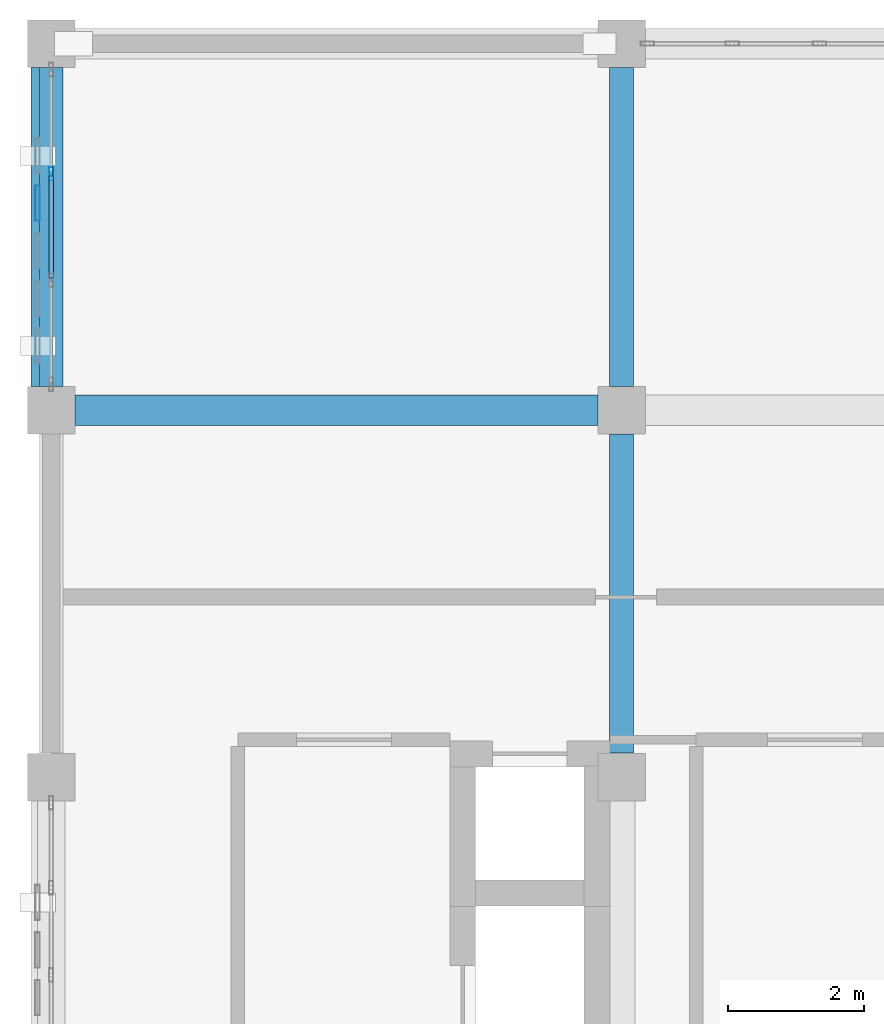
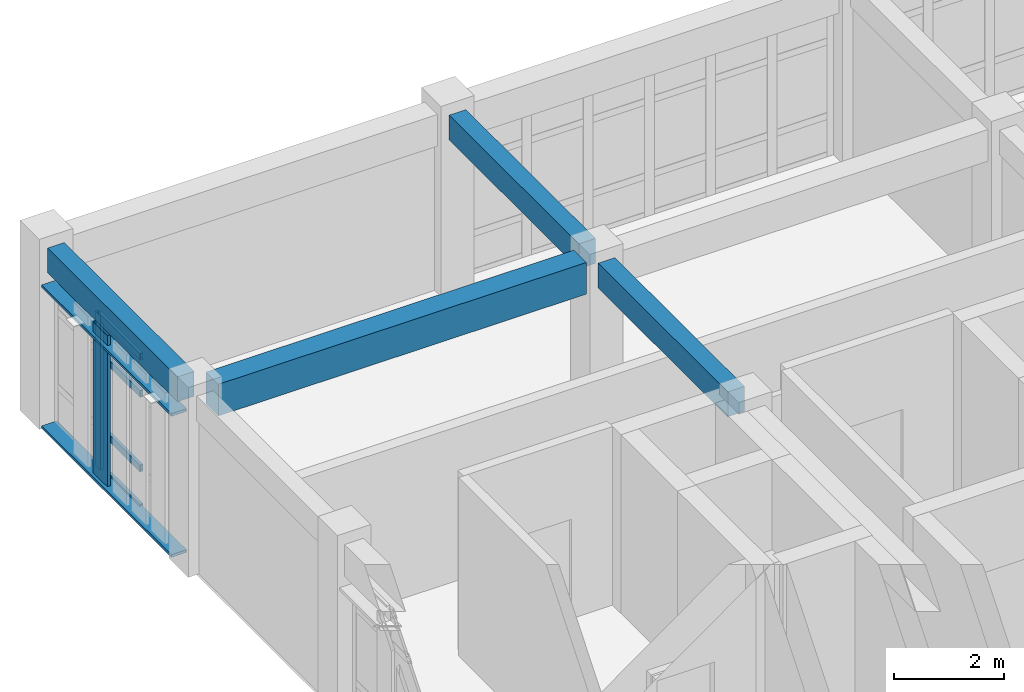
# One storey, part 10 of 22: 8 members, 4 beams, 1 element without a shape of its own.
"""IFC4 building model written with IfcOpenShell, lengths in metres."""

from ifc_helpers import new_model, si_unit, direction, frame, origin, origin_2d, place, context, subcontext, project, spatial, rectangle, hollow_rectangle, extrude, material, layer, layer_set, material_profile, profile_set, type_object, element, aggregate, save


model = new_model("IFC4")

# Units and contexts
model_context = context("Model", 3, precision=1e-05, world=origin(), true_north=direction((0.0, 1.0)))
body_context = subcontext(model_context, "Body", "Model", "MODEL_VIEW")
ifc_project = project(units=[si_unit("LENGTHUNIT", "METRE"), si_unit("AREAUNIT", "SQUARE_METRE"), si_unit("VOLUMEUNIT", "CUBIC_METRE"), si_unit("PLANEANGLEUNIT", "RADIAN"), si_unit("MASSUNIT", "GRAM", prefix="KILO")], contexts=[model_context])

# Site, building, storey
site_placement = place(None, origin())
site = spatial("IfcSite", under=ifc_project, at=site_placement, CompositionType="ELEMENT")
building_placement = place(site_placement, origin())
building = spatial("IfcBuilding", under=site, at=building_placement, Name="Krzemoval Escarpment Law Courts", CompositionType="ELEMENT")
storey_placement = place(building_placement, frame((0.0, 0.0, 29.39990234375)))
storey = spatial("IfcBuildingStorey", under=building, at=storey_placement, Name="L06", CompositionType="ELEMENT", Elevation=29.39990234375)

# Beams
ifc_material_1 = material(Name="Concrete C40/50", Category="concrete")
ifc_material_profile_1 = material_profile(ifc_material_1, rectangle(XDim=0.35009765625, YDim=0.550048828125, at=origin_2d()), Name="RCB 350x550")
ifc_profile_set_1 = profile_set([ifc_material_profile_1], Name="Concrete C40/50")
beam_type_1 = type_object("IfcBeamType", Name="BM-RC-350x550", PredefinedType="BEAM", material=ifc_profile_set_1)
for number, where, z_axis, x_axis, name in (
    (1, (126.0, 113.75, 3.675048828125), (0.0, 1.0, 0.0), (-1.0, 0.0, 0.0), "Beam FG-L06-2664"),
    (2, (134.39990234375, 108.35009765625, 3.675048828125), (0.0, 1.0, 0.0), (-1.0, 0.0, 0.0), "Beam FG-L06-2668"),
    (3, (134.39990234375, 113.75, 3.675048828125), (0.0, 1.0, 0.0), (-1.0, 0.0, 0.0), "Beam FG-L06-2669"),
):
    element("IfcBeam", number, at=place(storey_placement, frame(where, z_axis=z_axis, x_axis=x_axis)), inside=storey, type_object=beam_type_1, Name=name, PredefinedType="BEAM", context=body_context, shape_type="SweptSolid", body=[
        extrude(rectangle(XDim=0.35009765625, YDim=0.550048828125, at=origin_2d()), origin(), (0.0, 0.0, 1.0), 4.699951171875),
    ])
ifc_material_2 = material(Name="Concrete C40/50", Category="concrete")
ifc_material_profile_2 = material_profile(ifc_material_2, rectangle(XDim=0.449951171875, YDim=0.699951171875, at=origin_2d()), Name="RCB 450x700")
ifc_profile_set_2 = profile_set([ifc_material_profile_2], Name="Concrete C40/50")
beam_type_2 = type_object("IfcBeamType", Name="BM-RC-450x700", PredefinedType="BEAM", material=ifc_profile_set_2)
beam_placement = place(storey_placement, frame((126.35009765625, 113.39990234375, 3.60009765625), z_axis=(1.0, 0.0, 0.0), x_axis=(0.0, 1.0, 0.0)))
element("IfcBeam", 4, at=beam_placement, inside=storey, type_object=beam_type_2, Name="Beam FG-L06-2648", PredefinedType="BEAM", context=body_context, shape_type="SweptSolid", body=[
    extrude(rectangle(XDim=0.449951171875, YDim=0.699951171875, at=origin_2d()), origin(), (0.0, 0.0, 1.0), 7.699951171875),
])

# Curtain wall, members
ifc_material_3 = material(Name="Aluminium 6063-T6", Category="aluminium")
ifc_layer = layer(ifc_material_3, 0.219970703125)
ifc_layer_set = layer_set([ifc_layer], Name="Aluminium 6063-T6")
curtain_wall_type = type_object("IfcCurtainWallType", Name="CW-CHMB-4200", PredefinedType="USERDEFINED", material=ifc_layer_set)
curtain_wall_placement = place(storey_placement, origin())
curtain_wall = element("IfcCurtainWall", 5, at=curtain_wall_placement, inside=storey, type_object=curtain_wall_type, Name="Unitised Curtain Wall FCW-L06-148", ObjectType="UNITISED_CURTAIN_WALL", PredefinedType="USERDEFINED")
ifc_material_4 = material(Name="Aluminium 6063-T6", Category="aluminium")
ifc_material_profile_3 = material_profile(ifc_material_4, hollow_rectangle(XDim=0.06494140625, YDim=0.199951171875, WallThickness=0.00439453125, at=origin_2d()), Name="ALU M65x200")
ifc_profile_set_3 = profile_set([ifc_material_profile_3], Name="Aluminium 6063-T6")
member_type_1 = type_object("IfcMemberType", Name="CWM-65x200", PredefinedType="MULLION", material=ifc_profile_set_3)
member_1_placement = place(storey_placement, frame((126.0, 116.88330078125, 0.0), z_axis=(0.0, 0.0, 1.0), x_axis=(-1.0, 0.0, 0.0)))
member_1 = element("IfcMember", 6, at=member_1_placement, type_object=member_type_1, Name="FCW-L06-148 mullion 3", PredefinedType="MULLION", context=body_context, shape_type="SweptSolid", body=[
    extrude(hollow_rectangle(XDim=0.06494140625, YDim=0.199951171875, WallThickness=0.00439453125, at=origin_2d()), origin(), (0.0, 0.0, 1.0), 3.400146484375),
])
ifc_material_5 = material(Name="Aluminium 6063-T6", Category="aluminium")
ifc_material_profile_4 = material_profile(ifc_material_5, hollow_rectangle(XDim=0.06494140625, YDim=0.14990234375, WallThickness=0.00439453125, at=origin_2d()), Name="ALU T65x150")
ifc_profile_set_4 = profile_set([ifc_material_profile_4], Name="Aluminium 6063-T6")
member_type_2 = type_object("IfcMemberType", Name="CWT-65x150", PredefinedType="USERDEFINED", material=ifc_profile_set_4)
member_2_placement = place(storey_placement, frame((126.0, 115.34912109375, 0.03271484375), z_axis=(0.0, 1.0, 0.0), x_axis=(-1.0, 0.0, 0.0)))
member_2 = element("IfcMember", 7, at=member_2_placement, type_object=member_type_2, Name="FCW-L06-148 transom 2.1", ObjectType="TRANSOM", PredefinedType="USERDEFINED", context=body_context, shape_type="SweptSolid", body=[
    extrude(hollow_rectangle(XDim=0.06494140625, YDim=0.14990234375, WallThickness=0.00439453125, at=origin_2d()), origin(), (0.0, 0.0, 1.0), 1.501708984375),
])
member_3_placement = place(storey_placement, frame((126.0, 115.34912109375, 0.900146484375), z_axis=(0.0, 1.0, 0.0), x_axis=(-1.0, 0.0, 0.0)))
member_3 = element("IfcMember", 8, at=member_3_placement, type_object=member_type_2, Name="FCW-L06-148 transom 2.2", ObjectType="TRANSOM", PredefinedType="USERDEFINED", context=body_context, shape_type="SweptSolid", body=[
    extrude(hollow_rectangle(XDim=0.06494140625, YDim=0.14990234375, WallThickness=0.00439453125, at=origin_2d()), origin(), (0.0, 0.0, 1.0), 1.501708984375),
])
member_4_placement = place(storey_placement, frame((126.0, 115.34912109375, 2.550048828125), z_axis=(0.0, 1.0, 0.0), x_axis=(-1.0, 0.0, 0.0)))
member_4 = element("IfcMember", 9, at=member_4_placement, type_object=member_type_2, Name="FCW-L06-148 transom 2.3", ObjectType="TRANSOM", PredefinedType="USERDEFINED", context=body_context, shape_type="SweptSolid", body=[
    extrude(hollow_rectangle(XDim=0.06494140625, YDim=0.14990234375, WallThickness=0.00439453125, at=origin_2d()), origin(), (0.0, 0.0, 1.0), 1.501708984375),
])
member_5_placement = place(storey_placement, frame((126.0, 115.34912109375, 3.36767578125), z_axis=(0.0, 1.0, 0.0), x_axis=(-1.0, 0.0, 0.0)))
member_5 = element("IfcMember", 10, at=member_5_placement, type_object=member_type_2, Name="FCW-L06-148 transom 2.4", ObjectType="TRANSOM", PredefinedType="USERDEFINED", context=body_context, shape_type="SweptSolid", body=[
    extrude(hollow_rectangle(XDim=0.06494140625, YDim=0.14990234375, WallThickness=0.00439453125, at=origin_2d()), origin(), (0.0, 0.0, 1.0), 1.501708984375),
])
aggregate(curtain_wall, [member_1, member_2, member_3, member_4, member_5])

# Members
ifc_material_6 = material(Name="Anodised Aluminium Alloy 6063-T6", Category="aluminium")
ifc_material_profile_5 = material_profile(ifc_material_6, hollow_rectangle(XDim=0.06005859375, YDim=0.320068359375, WallThickness=0.00390625, at=origin_2d()), Name="ALU LVR 60x320")
ifc_profile_set_5 = profile_set([ifc_material_profile_5], Name="Anodised Aluminium Alloy 6063-T6")
member_type_3 = type_object("IfcMemberType", Name="LVR-ALU-320", PredefinedType="USERDEFINED", material=ifc_profile_set_5)
for number, where, z_axis, x_axis, name in (
    (11, (125.860107421875, 113.75, 0.030029296875), (0.0, 1.0, 0.0), (0.0, 0.0, 1.0), "Sunshade Support Rail FSR-L06-0994"),
    (12, (125.860107421875, 113.75, 3.150146484375), (0.0, 1.0, 0.0), (0.0, 0.0, 1.0), "Sunshade Support Rail FSR-L06-0995"),
):
    element("IfcMember", number, at=place(storey_placement, frame(where, z_axis=z_axis, x_axis=x_axis)), inside=storey, type_object=member_type_3, Name=name, ObjectType="SUNSHADE_LOUVRE", PredefinedType="USERDEFINED", context=body_context, shape_type="SweptSolid", body=[
        extrude(hollow_rectangle(XDim=0.06005859375, YDim=0.320068359375, WallThickness=0.00390625, at=origin_2d()), origin(), (0.0, 0.0, 1.0), 4.699951171875),
    ])
ifc_material_7 = material(Name="Anodised Aluminium Alloy 6063-T6", Category="aluminium")
ifc_material_profile_6 = material_profile(ifc_material_7, hollow_rectangle(XDim=0.06494140625, YDim=0.52001953125, WallThickness=0.00439453125, at=origin_2d()), Name="ALU LVR 65x520")
ifc_profile_set_6 = profile_set([ifc_material_profile_6], Name="Anodised Aluminium Alloy 6063-T6")
member_type_4 = type_object("IfcMemberType", Name="LVR-ALU-520", PredefinedType="USERDEFINED", material=ifc_profile_set_6)
member_6_placement = place(storey_placement, frame((125.800048828125, 116.449951171875, 0.06005859375), z_axis=(0.0, 0.0, 1.0), x_axis=(1.0, 0.0, 0.0)))
element("IfcMember", 13, at=member_6_placement, inside=storey, type_object=member_type_4, Name="Sunshade Louvre Fin FLV-L06-0999", ObjectType="SUNSHADE_LOUVRE", PredefinedType="USERDEFINED", context=body_context, shape_type="SweptSolid", body=[
    extrude(hollow_rectangle(XDim=0.06494140625, YDim=0.52001953125, WallThickness=0.00439453125, at=origin_2d()), origin(), (0.0, 0.0, 1.0), 3.340087890625),
])

save(model, "model.ifc")
